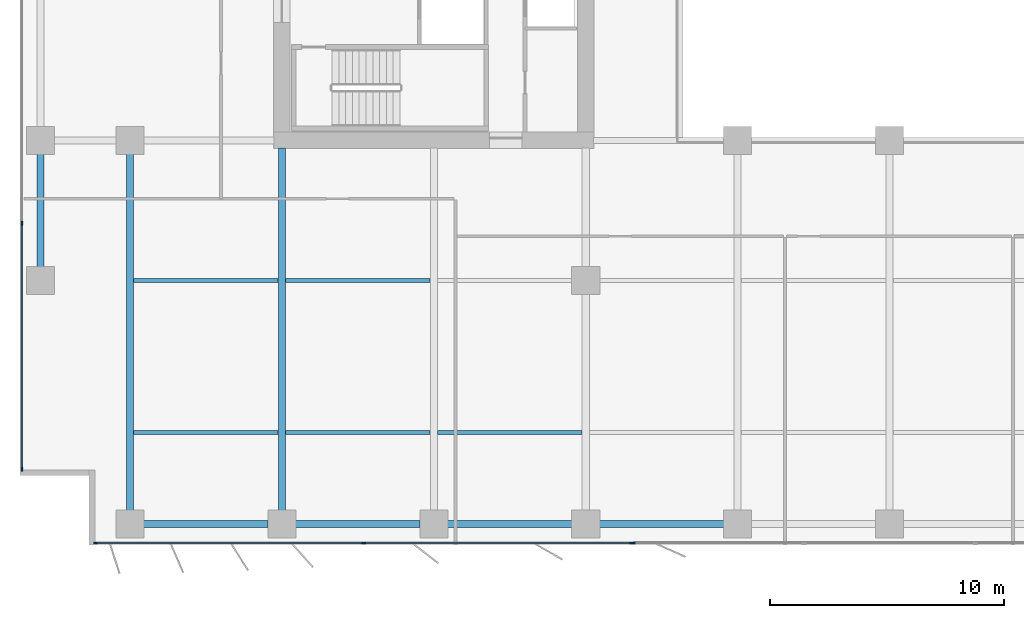
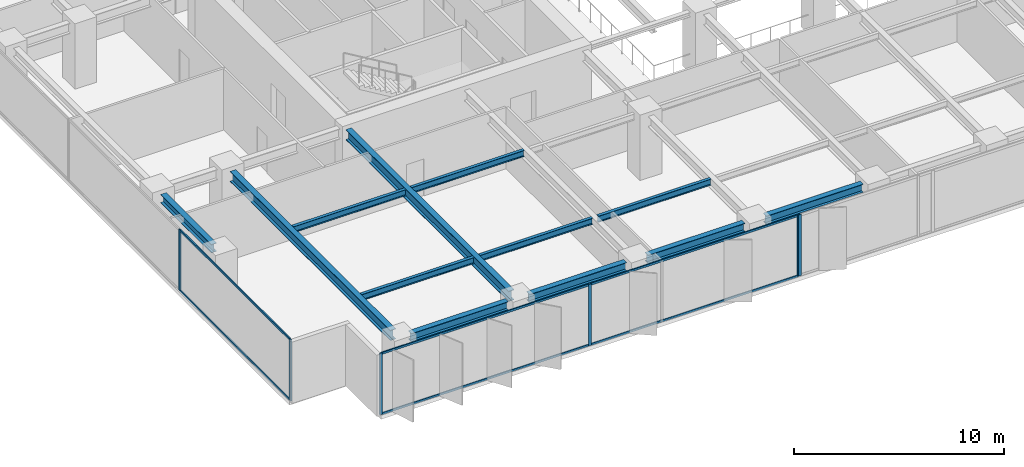
# One storey, part 2 of 20: 12 beams, 12 members, 3 elements without a shape of their own.
"""IFC4 building model written with IfcOpenShell, lengths in metres."""

from ifc_helpers import new_model, si_unit, direction, frame, origin, origin_2d, place, context, subcontext, project, spatial, rectangle, i_section, extrude, material, layer, layer_set, material_profile, profile_set, type_object, element, aggregate, save


model = new_model("IFC4")

# Units and contexts
model_context = context("Model", 3, precision=1e-05, world=origin(), true_north=direction((0.0, 1.0)))
body_context = subcontext(model_context, "Body", "Model", "MODEL_VIEW")
ifc_project = project(units=[si_unit("LENGTHUNIT", "METRE"), si_unit("AREAUNIT", "SQUARE_METRE"), si_unit("VOLUMEUNIT", "CUBIC_METRE"), si_unit("PLANEANGLEUNIT", "RADIAN"), si_unit("MASSUNIT", "GRAM", prefix="KILO")], contexts=[model_context])

# Site, building, storey
site_placement = place(None, origin())
site = spatial("IfcSite", under=ifc_project, at=site_placement, CompositionType="ELEMENT")
building_placement = place(site_placement, origin())
building = spatial("IfcBuilding", under=site, at=building_placement, Name="Putna Gate Headquarters", CompositionType="ELEMENT")
storey_placement = place(building_placement, frame((0.0, 0.0, 108.800048828125)))
storey = spatial("IfcBuildingStorey", under=building, at=storey_placement, Name="L26", CompositionType="ELEMENT", Elevation=108.800048828125)

# Beams
ifc_material_1 = material(Name="Steel S355J2", Category="steel")
ifc_material_profile_1 = material_profile(ifc_material_1, i_section(OverallWidth=0.300048828125, OverallDepth=0.60009765625, WebThickness=0.015380859375, FlangeThickness=0.030029296875, at=origin_2d()), Name="Steel S355J2")
ifc_profile_set_1 = profile_set([ifc_material_profile_1], Name="Steel S355J2")
beam_type_1 = type_object("IfcBeamType", Name="BM-GIRD-Z2-HEB600", PredefinedType="USERDEFINED", material=ifc_profile_set_1)
beam_1_placement = place(storey_placement, frame((6.5, 3.16796875, 3.264892578125), z_axis=(0.0, 1.0, 0.0), x_axis=(-1.0, 0.0, 0.0)))
element("IfcBeam", 1, at=beam_1_placement, inside=storey, type_object=beam_type_1, Name="L26 South Primary Girder X6", ObjectType="GIRDER", PredefinedType="USERDEFINED", context=body_context, shape_type="SweptSolid", body=[
    extrude(i_section(OverallWidth=0.300048828125, OverallDepth=0.60009765625, WebThickness=0.015380859375, FlangeThickness=0.030029296875, at=origin_2d()), origin(), (0.0, 0.0, 1.0), 15.244140625),
])
beam_2_placement = place(storey_placement, frame((13.0, 3.16796875, 3.264892578125), z_axis=(0.0, 1.0, 0.0), x_axis=(-1.0, 0.0, 0.0)))
element("IfcBeam", 2, at=beam_2_placement, inside=storey, type_object=beam_type_1, Name="L26 South Primary Girder X13", ObjectType="GIRDER", PredefinedType="USERDEFINED", context=body_context, shape_type="SweptSolid", body=[
    extrude(i_section(OverallWidth=0.300048828125, OverallDepth=0.60009765625, WebThickness=0.015380859375, FlangeThickness=0.030029296875, at=origin_2d()), origin(), (0.0, 0.0, 1.0), 15.4970703125),
])
ifc_material_profile_2 = material_profile(ifc_material_1, i_section(OverallWidth=0.169921875, OverallDepth=0.360107421875, WebThickness=0.008056640625, FlangeThickness=0.0126953125, at=origin_2d()), Name="Steel S355J2")
ifc_profile_set_2 = profile_set([ifc_material_profile_2], Name="Steel S355J2")
beam_type_2 = type_object("IfcBeamType", Name="BM-SEC-Z2-IPE360", PredefinedType="BEAM", material=ifc_profile_set_2)
for number, where, z_axis, x_axis, name in (
    (3, (6.654052734375, 6.5, 3.385009765625), (1.0, 0.0, 0.0), (0.0, 1.0, 0.0), "L26 South Secondary Beam 1"),
    (4, (6.654052734375, 13.0, 3.385009765625), (1.0, 0.0, 0.0), (0.0, 1.0, 0.0), "L26 South Secondary Beam 1"),
    (5, (13.154052734375, 6.5, 3.385009765625), (1.0, 0.0, 0.0), (0.0, 1.0, 0.0), "L26 South Secondary Beam 2"),
    (6, (13.154052734375, 13.0, 3.385009765625), (1.0, 0.0, 0.0), (0.0, 1.0, 0.0), "L26 South Secondary Beam 2"),
    (7, (19.654052734375, 6.5, 3.385009765625), (1.0, 0.0, 0.0), (0.0, 1.0, 0.0), "L26 South Secondary Beam 3"),
):
    element("IfcBeam", number, at=place(storey_placement, frame(where, z_axis=z_axis, x_axis=x_axis)), inside=storey, type_object=beam_type_2, Name=name, PredefinedType="BEAM", context=body_context, shape_type="SweptSolid", body=[
        extrude(i_section(OverallWidth=0.169921875, OverallDepth=0.360107421875, WebThickness=0.008056640625, FlangeThickness=0.0126953125, at=origin_2d()), origin(), (0.0, 0.0, 1.0), 6.19189453125),
    ])
ifc_material_profile_3 = material_profile(ifc_material_1, i_section(OverallWidth=0.300048828125, OverallDepth=0.489990234375, WebThickness=0.011962890625, FlangeThickness=0.02294921875, at=origin_2d()), Name="Steel S355J2")
ifc_profile_set_3 = profile_set([ifc_material_profile_3], Name="Steel S355J2")
beam_type_3 = type_object("IfcBeamType", Name="BM-SPAN-Z2-HEA500", PredefinedType="SPANDREL", material=ifc_profile_set_3)
for number, where, z_axis, x_axis, name in (
    (8, (7.087890625, 2.580078125, 3.320068359375), (1.0, 0.0, 0.0), (0.0, 1.0, 0.0), "L26 S Perimeter Spandrel 1"),
    (9, (13.587890625, 2.580078125, 3.320068359375), (1.0, 0.0, 0.0), (0.0, 1.0, 0.0), "L26 S Perimeter Spandrel 2"),
    (10, (20.087890625, 2.580078125, 3.320068359375), (1.0, 0.0, 0.0), (0.0, 1.0, 0.0), "L26 S Perimeter Spandrel 3"),
    (11, (26.587890625, 2.580078125, 3.320068359375), (1.0, 0.0, 0.0), (0.0, 1.0, 0.0), "L26 S Perimeter Spandrel 4"),
):
    element("IfcBeam", number, at=place(storey_placement, frame(where, z_axis=z_axis, x_axis=x_axis)), inside=storey, type_object=beam_type_3, Name=name, PredefinedType="SPANDREL", context=body_context, shape_type="SweptSolid", body=[
        extrude(i_section(OverallWidth=0.300048828125, OverallDepth=0.489990234375, WebThickness=0.011962890625, FlangeThickness=0.02294921875, at=origin_2d()), origin(), (0.0, 0.0, 1.0), 5.32421875),
    ])
beam_3_placement = place(storey_placement, frame((2.679931640625, 13.587890625, 3.320068359375), z_axis=(0.0, 1.0, 0.0), x_axis=(-1.0, 0.0, 0.0)))
element("IfcBeam", 12, at=beam_3_placement, inside=storey, type_object=beam_type_3, Name="L26 W End Spandrel 1", PredefinedType="SPANDREL", context=body_context, shape_type="SweptSolid", body=[
    extrude(i_section(OverallWidth=0.300048828125, OverallDepth=0.489990234375, WebThickness=0.011962890625, FlangeThickness=0.02294921875, at=origin_2d()), origin(), (0.0, 0.0, 1.0), 4.82421875),
])

# Curtain wall, members
ifc_material_2 = material(Name="Anodised bronze aluminium curtain wall", Category="aluminium")
ifc_layer_1 = layer(ifc_material_2, 0.159912109375)
ifc_layer_set_1 = layer_set([ifc_layer_1], Name="Anodised bronze aluminium curtain wall")
curtain_wall_type_1 = type_object("IfcCurtainWallType", Name="CW-SYS-Z2", PredefinedType="USERDEFINED", material=ifc_layer_set_1)
curtain_wall_1_placement = place(storey_placement, origin())
curtain_wall_1 = element("IfcCurtainWall", 13, at=curtain_wall_1_placement, inside=storey, type_object=curtain_wall_type_1, Name="L26 South West Curtain Wall", ObjectType="STICK CURTAIN WALL", PredefinedType="USERDEFINED")
ifc_material_3 = material(Name="Anodised bronze aluminium EN AW-6060", Category="aluminium")
ifc_material_profile_4 = material_profile(ifc_material_3, rectangle(XDim=0.06494140625, YDim=0.159912109375, at=origin_2d()), Name="Anodised bronze aluminium EN AW-6060")
ifc_profile_set_4 = profile_set([ifc_material_profile_4], Name="Anodised bronze aluminium EN AW-6060")
member_type_1 = type_object("IfcMemberType", Name="MULL-CWM-2", PredefinedType="MULLION", material=ifc_profile_set_4)
member_1_placement = place(storey_placement, frame((5.032470703125, 1.780029296875, 0.0), z_axis=(0.0, 0.0, 1.0), x_axis=(0.0, 1.0, 0.0)))
member_1 = element("IfcMember", 14, at=member_1_placement, type_object=member_type_1, Name="CWS-2 mullion 1", PredefinedType="MULLION", context=body_context, shape_type="SweptSolid", body=[
    extrude(rectangle(XDim=0.06494140625, YDim=0.159912109375, at=origin_2d()), origin(), (0.0, 0.0, 1.0), 3.56494140625),
])
member_2_placement = place(storey_placement, frame((16.5, 1.780029296875, 0.0), z_axis=(0.0, 0.0, 1.0), x_axis=(0.0, 1.0, 0.0)))
member_2 = element("IfcMember", 15, at=member_2_placement, type_object=member_type_1, Name="CWS-2 mullion 2", PredefinedType="MULLION", context=body_context, shape_type="SweptSolid", body=[
    extrude(rectangle(XDim=0.06494140625, YDim=0.159912109375, at=origin_2d()), origin(), (0.0, 0.0, 1.0), 3.56494140625),
])
member_3_placement = place(storey_placement, frame((27.967529296875, 1.780029296875, 0.0), z_axis=(0.0, 0.0, 1.0), x_axis=(0.0, 1.0, 0.0)))
member_3 = element("IfcMember", 16, at=member_3_placement, type_object=member_type_1, Name="CWS-2 mullion 3", PredefinedType="MULLION", context=body_context, shape_type="SweptSolid", body=[
    extrude(rectangle(XDim=0.06494140625, YDim=0.159912109375, at=origin_2d()), origin(), (0.0, 0.0, 1.0), 3.56494140625),
])

curtain_wall_2_placement = place(storey_placement, origin())
curtain_wall_2 = element("IfcCurtainWall", 17, at=curtain_wall_2_placement, inside=storey, type_object=curtain_wall_type_1, Name="L26 West Curtain Wall", ObjectType="STICK CURTAIN WALL", PredefinedType="USERDEFINED")
member_4_placement = place(storey_placement, frame((1.8798828125, 4.9326171875, 0.0), z_axis=(0.0, 0.0, 1.0), x_axis=(-1.0, 0.0, 0.0)))
member_4 = element("IfcMember", 18, at=member_4_placement, type_object=member_type_1, Name="CWS-2 mullion 1", PredefinedType="MULLION", context=body_context, shape_type="SweptSolid", body=[
    extrude(rectangle(XDim=0.06494140625, YDim=0.159912109375, at=origin_2d()), origin(), (0.0, 0.0, 1.0), 3.56494140625),
])
member_5_placement = place(storey_placement, frame((1.8798828125, 15.449951171875, 0.0), z_axis=(0.0, 0.0, 1.0), x_axis=(-1.0, 0.0, 0.0)))
member_5 = element("IfcMember", 19, at=member_5_placement, type_object=member_type_1, Name="CWS-2 mullion 2", PredefinedType="MULLION", context=body_context, shape_type="SweptSolid", body=[
    extrude(rectangle(XDim=0.06494140625, YDim=0.159912109375, at=origin_2d()), origin(), (0.0, 0.0, 1.0), 3.56494140625),
])

# Curtain wall, member
ifc_layer_2 = layer(ifc_material_2, 0.179931640625)
ifc_layer_set_2 = layer_set([ifc_layer_2], Name="Anodised bronze aluminium curtain wall")
curtain_wall_type_2 = type_object("IfcCurtainWallType", Name="CW-SYS-ATR", PredefinedType="USERDEFINED", material=ifc_layer_set_2)
curtain_wall_3_placement = place(storey_placement, origin())
curtain_wall_3 = element("IfcCurtainWall", 20, at=curtain_wall_3_placement, inside=storey, type_object=curtain_wall_type_2, Name="L26 South Atrium Clear Glazing", ObjectType="ATRIUM GLAZING", PredefinedType="USERDEFINED")
ifc_material_profile_5 = material_profile(ifc_material_3, rectangle(XDim=0.070068359375, YDim=0.179931640625, at=origin_2d()), Name="Anodised bronze aluminium EN AW-6060")
ifc_profile_set_5 = profile_set([ifc_material_profile_5], Name="Anodised bronze aluminium EN AW-6060")
member_type_2 = type_object("IfcMemberType", Name="MULL-CWM-AT", PredefinedType="MULLION", material=ifc_profile_set_5)
member_6_placement = place(storey_placement, frame((28.034912109375, 1.780029296875, 0.0), z_axis=(0.0, 0.0, 1.0), x_axis=(0.0, 1.0, 0.0)))
member_6 = element("IfcMember", 21, at=member_6_placement, type_object=member_type_2, Name="CWS-AT mullion 1", PredefinedType="MULLION", context=body_context, shape_type="SweptSolid", body=[
    extrude(rectangle(XDim=0.070068359375, YDim=0.179931640625, at=origin_2d()), origin(), (0.0, 0.0, 1.0), 3.56494140625),
])
aggregate(curtain_wall_3, [member_6])

# Member
ifc_material_profile_6 = material_profile(ifc_material_3, rectangle(XDim=0.06494140625, YDim=0.1201171875, at=origin_2d()), Name="Anodised bronze aluminium EN AW-6060")
ifc_profile_set_6 = profile_set([ifc_material_profile_6], Name="Anodised bronze aluminium EN AW-6060")
member_type_3 = type_object("IfcMemberType", Name="TRAN-CWT-2", PredefinedType="USERDEFINED", material=ifc_profile_set_6)
member_7_placement = place(storey_placement, frame((5.06494140625, 1.780029296875, 0.032470703125), z_axis=(1.0, 0.0, 0.0), x_axis=(0.0, 1.0, 0.0)))
member_7 = element("IfcMember", 22, at=member_7_placement, type_object=member_type_3, Name="CWS-2 transom 1.1", ObjectType="TRANSOM", PredefinedType="USERDEFINED", context=body_context, shape_type="SweptSolid", body=[
    extrude(rectangle(XDim=0.06494140625, YDim=0.1201171875, at=origin_2d()), origin(), (0.0, 0.0, 1.0), 11.402587890625),
])

member_8_placement = place(storey_placement, frame((5.06494140625, 1.780029296875, 3.532470703125), z_axis=(1.0, 0.0, 0.0), x_axis=(0.0, 1.0, 0.0)))
member_8 = element("IfcMember", 23, at=member_8_placement, type_object=member_type_3, Name="CWS-2 transom 1.2", ObjectType="TRANSOM", PredefinedType="USERDEFINED", context=body_context, shape_type="SweptSolid", body=[
    extrude(rectangle(XDim=0.06494140625, YDim=0.1201171875, at=origin_2d()), origin(), (0.0, 0.0, 1.0), 11.402587890625),
])

member_9_placement = place(storey_placement, frame((16.532470703125, 1.780029296875, 0.032470703125), z_axis=(1.0, 0.0, 0.0), x_axis=(0.0, 1.0, 0.0)))
member_9 = element("IfcMember", 24, at=member_9_placement, type_object=member_type_3, Name="CWS-2 transom 2.1", ObjectType="TRANSOM", PredefinedType="USERDEFINED", context=body_context, shape_type="SweptSolid", body=[
    extrude(rectangle(XDim=0.06494140625, YDim=0.1201171875, at=origin_2d()), origin(), (0.0, 0.0, 1.0), 11.402587890625),
])

member_10_placement = place(storey_placement, frame((16.532470703125, 1.780029296875, 3.532470703125), z_axis=(1.0, 0.0, 0.0), x_axis=(0.0, 1.0, 0.0)))
member_10 = element("IfcMember", 25, at=member_10_placement, type_object=member_type_3, Name="CWS-2 transom 2.2", ObjectType="TRANSOM", PredefinedType="USERDEFINED", context=body_context, shape_type="SweptSolid", body=[
    extrude(rectangle(XDim=0.06494140625, YDim=0.1201171875, at=origin_2d()), origin(), (0.0, 0.0, 1.0), 11.402587890625),
])

aggregate(curtain_wall_1, [member_1, member_2, member_3, member_7, member_8, member_9, member_10])

member_11_placement = place(storey_placement, frame((1.8798828125, 4.965087890625, 0.032470703125), z_axis=(0.0, 1.0, 0.0), x_axis=(-1.0, 0.0, 0.0)))
member_11 = element("IfcMember", 26, at=member_11_placement, type_object=member_type_3, Name="CWS-2 transom 1.1", ObjectType="TRANSOM", PredefinedType="USERDEFINED", context=body_context, shape_type="SweptSolid", body=[
    extrude(rectangle(XDim=0.06494140625, YDim=0.1201171875, at=origin_2d()), origin(), (0.0, 0.0, 1.0), 10.452392578125),
])

member_12_placement = place(storey_placement, frame((1.8798828125, 4.965087890625, 3.532470703125), z_axis=(0.0, 1.0, 0.0), x_axis=(-1.0, 0.0, 0.0)))
member_12 = element("IfcMember", 27, at=member_12_placement, type_object=member_type_3, Name="CWS-2 transom 1.2", ObjectType="TRANSOM", PredefinedType="USERDEFINED", context=body_context, shape_type="SweptSolid", body=[
    extrude(rectangle(XDim=0.06494140625, YDim=0.1201171875, at=origin_2d()), origin(), (0.0, 0.0, 1.0), 10.452392578125),
])

aggregate(curtain_wall_2, [member_4, member_5, member_11, member_12])

save(model, "model.ifc")
